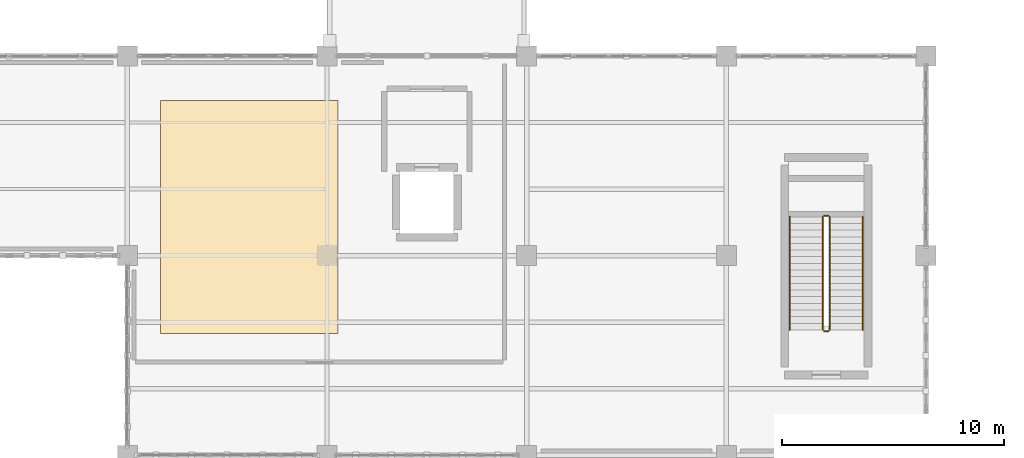
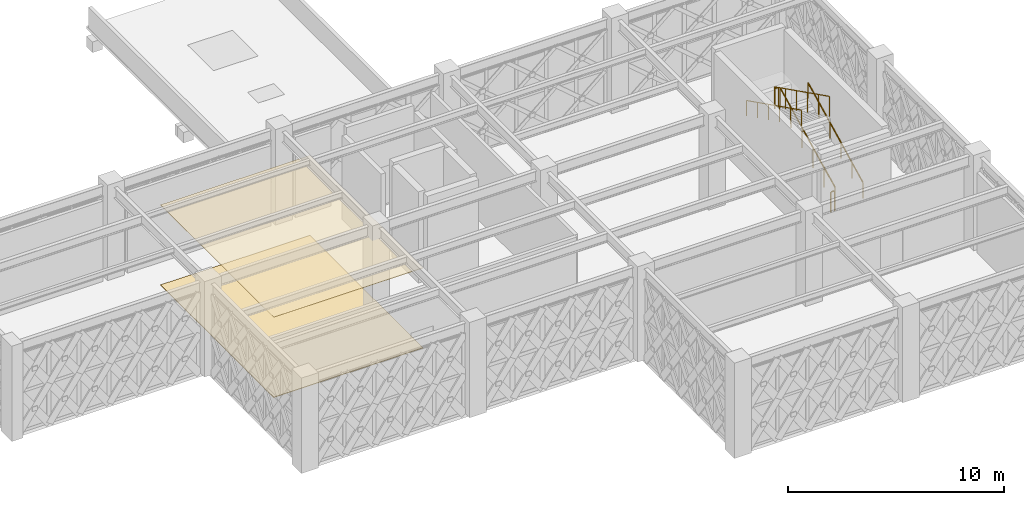
# One storey, part 145 of 155: 6 railings, 2 coverings.
"""IFC4 building model written with IfcOpenShell, lengths in metres."""

from ifc_helpers import new_model, si_unit, direction, frame, origin, origin_2d, place, context, subcontext, project, spatial, polyline, circle, outline, extrude, material, layer, layer_set, type_object, element, save


model = new_model("IFC4")

# Units and contexts
model_context = context("Model", 3, precision=1e-05, world=origin(), true_north=direction((0.0, 1.0)))
body_context = subcontext(model_context, "Body", "Model", "MODEL_VIEW")
ifc_project = project(units=[si_unit("LENGTHUNIT", "METRE"), si_unit("AREAUNIT", "SQUARE_METRE"), si_unit("VOLUMEUNIT", "CUBIC_METRE"), si_unit("PLANEANGLEUNIT", "RADIAN"), si_unit("MASSUNIT", "GRAM", prefix="KILO")], contexts=[model_context])

# Site, building, storey
site_placement = place(None, origin())
site = spatial("IfcSite", under=ifc_project, at=site_placement, CompositionType="ELEMENT")
building_placement = place(site_placement, origin())
building = spatial("IfcBuilding", under=site, at=building_placement, Name="Haizhuo Lancet Aquarium", CompositionType="ELEMENT")
storey_placement = place(building_placement, frame((0.0, 0.0, 10.800048828125)))
storey = spatial("IfcBuildingStorey", under=building, at=storey_placement, Name="L02", CompositionType="ELEMENT", Elevation=10.800048828125)

# Coverings
ifc_material_1 = material(Name="Acoustic Mineral Fibre Board")
ifc_layer_1 = layer(ifc_material_1, 0.02490234375)
ifc_layer_set_1 = layer_set([ifc_layer_1], Name="Acoustic Mineral Fibre Board")
covering_type_1 = type_object("IfcCoveringType", Name="COV-CLG-ACU", PredefinedType="CEILING", material=ifc_layer_set_1)
covering_1_placement = place(storey_placement, frame((0.0, 0.0, 4.534912109375)))
element("IfcCovering", 1, at=covering_1_placement, inside=storey, type_object=covering_type_1, Name="L02 V6 acoustic suspended ceiling 8", PredefinedType="CEILING", context=body_context, shape_type="SweptSolid", body=[
    extrude(outline(polyline([(-70.5, -21.5), (-62.5, -21.5), (-62.5, -11.0), (-70.5, -11.0), (-70.5, -21.5)])), origin(), (0.0, 0.0, 1.0), 0.025146484375),
])
ifc_material_2 = material(Name="Shandong Grey Limestone Ashlar", Category="masonry")
ifc_layer_2 = layer(ifc_material_2, 0.030029296875)
ifc_layer_set_2 = layer_set([ifc_layer_2], Name="Shandong Grey Limestone Ashlar")
covering_type_2 = type_object("IfcCoveringType", Name="COV-FLR-STN", PredefinedType="FLOORING", material=ifc_layer_set_2)
covering_2_placement = place(storey_placement, origin())
element("IfcCovering", 2, at=covering_2_placement, inside=storey, type_object=covering_type_2, Name="L02 V6 limestone floor finish 8", PredefinedType="FLOORING", context=body_context, shape_type="SweptSolid", body=[
    extrude(outline(polyline([(-70.5, -21.5), (-62.5, -21.5), (-62.5, -11.0), (-70.5, -11.0), (-70.5, -21.5)])), origin(), (0.0, 0.0, 1.0), 0.030029296875),
])

# Railings
ifc_material_3 = material(Name="Steel S355", Category="steel")
railing_type_1 = type_object("IfcRailingType", Name="RL-GRD-1150", PredefinedType="GUARDRAIL", material=ifc_material_3)
railing_1_placement = place(storey_placement, frame((-40.35009765625, -21.35009765625, 0.14990234375)))
element("IfcRailing", 3, at=railing_1_placement, inside=storey, type_object=railing_type_1, Name="L02 ST-09 stair guard 1", PredefinedType="GUARDRAIL", context=body_context, shape_type="SweptSolid", body=[
    extrude(circle(Radius=0.02392578125, at=origin_2d()), frame((0.0, 0.02685546875, 1.13916015625), z_axis=(0.0, 0.894427191, 0.4472135955), x_axis=(-1.0, 0.0, 0.0)), (0.0, 0.0, 1.0), 5.64208984375),
    extrude(circle(Radius=0.02099609375, at=origin_2d()), origin(), (0.0, 0.0, 1.0), 1.097900390625),
    extrude(circle(Radius=0.02099609375, at=origin_2d()), frame((0.0, 1.02001953125, 0.510009765625)), (0.0, 0.0, 1.0), 1.097900390625),
    extrude(circle(Radius=0.02099609375, at=origin_2d()), frame((0.0, 2.0400390625, 1.02001953125)), (0.0, 0.0, 1.0), 1.097900390625),
    extrude(circle(Radius=0.02099609375, at=origin_2d()), frame((0.0, 3.06005859375, 1.530029296875)), (0.0, 0.0, 1.0), 1.097900390625),
    extrude(circle(Radius=0.02099609375, at=origin_2d()), frame((0.0, 4.080078125, 2.0400390625)), (0.0, 0.0, 1.0), 1.097900390625),
    extrude(circle(Radius=0.02099609375, at=origin_2d()), frame((0.0, 5.10009765625, 2.550048828125)), (0.0, 0.0, 1.0), 1.097900390625),
])
railing_2_placement = place(storey_placement, frame((-40.39990234375, -16.199951171875, 2.699951171875)))
element("IfcRailing", 4, at=railing_2_placement, inside=storey, type_object=railing_type_1, Name="L02 ST-09 stair guard 2", PredefinedType="GUARDRAIL", context=body_context, shape_type="SweptSolid", body=[
    extrude(circle(Radius=0.02392578125, at=origin_2d()), frame((-0.030029296875, 0.0, 1.1259765625), z_axis=(-1.0, 0.0, 0.0), x_axis=(0.0, -1.0, 0.0)), (0.0, 0.0, 1.0), 0.14013671875),
    extrude(circle(Radius=0.02099609375, at=origin_2d()), origin(), (0.0, 0.0, 1.0), 1.097900390625),
    extrude(circle(Radius=0.02099609375, at=origin_2d()), frame((-0.2001953125, 0.0, 0.0)), (0.0, 0.0, 1.0), 1.097900390625),
])
railing_3_placement = place(storey_placement, frame((-40.64990234375, -16.25, 2.849853515625)))
element("IfcRailing", 5, at=railing_3_placement, inside=storey, type_object=railing_type_1, Name="L02 ST-09 stair guard 3", PredefinedType="GUARDRAIL", context=body_context, shape_type="SweptSolid", body=[
    extrude(circle(Radius=0.02392578125, at=origin_2d()), frame((0.0, -0.02685546875, 1.13916015625), z_axis=(0.0, -0.894427191, 0.4472135955), x_axis=(1.0, 0.0, 0.0)), (0.0, 0.0, 1.0), 5.64208984375),
    extrude(circle(Radius=0.02099609375, at=origin_2d()), origin(), (0.0, 0.0, 1.0), 1.097900390625),
    extrude(circle(Radius=0.02099609375, at=origin_2d()), frame((0.0, -1.02001953125, 0.510009765625)), (0.0, 0.0, 1.0), 1.097900390625),
    extrude(circle(Radius=0.02099609375, at=origin_2d()), frame((0.0, -2.0400390625, 1.02001953125)), (0.0, 0.0, 1.0), 1.097900390625),
    extrude(circle(Radius=0.02099609375, at=origin_2d()), frame((0.0, -3.06005859375, 1.530029296875)), (0.0, 0.0, 1.0), 1.097900390625),
    extrude(circle(Radius=0.02099609375, at=origin_2d()), frame((0.0, -4.080078125, 2.0400390625)), (0.0, 0.0, 1.0), 1.097900390625),
    extrude(circle(Radius=0.02099609375, at=origin_2d()), frame((0.0, -5.10009765625, 2.550048828125)), (0.0, 0.0, 1.0), 1.097900390625),
])
railing_4_placement = place(storey_placement, frame((-40.39990234375, -21.39990234375, 0.0)))
element("IfcRailing", 6, at=railing_4_placement, inside=storey, type_object=railing_type_1, Name="L02 ST-09 stair guard 4", PredefinedType="GUARDRAIL", context=body_context, shape_type="SweptSolid", body=[
    extrude(circle(Radius=0.02392578125, at=origin_2d()), frame((-0.030029296875, 0.0, 1.1259765625), z_axis=(-1.0, 0.0, 0.0), x_axis=(0.0, -1.0, 0.0)), (0.0, 0.0, 1.0), 0.14013671875),
    extrude(circle(Radius=0.02099609375, at=origin_2d()), origin(), (0.0, 0.0, 1.0), 1.097900390625),
    extrude(circle(Radius=0.02099609375, at=origin_2d()), frame((-0.2001953125, 0.0, 0.0)), (0.0, 0.0, 1.0), 1.097900390625),
])
railing_type_2 = type_object("IfcRailingType", Name="RL-HDR-900", PredefinedType="HANDRAIL", material=ifc_material_3)
railing_5_placement = place(storey_placement, frame((-38.85009765625, -21.35009765625, 0.14990234375)))
element("IfcRailing", 7, at=railing_5_placement, inside=storey, type_object=railing_type_2, Name="L02 ST-09 pitch handrail 1", PredefinedType="HANDRAIL", context=body_context, shape_type="SweptSolid", body=[
    extrude(circle(Radius=0.02392578125, at=origin_2d()), frame((0.0, 0.02685546875, 0.88916015625), z_axis=(0.0, 0.894427191, 0.4472135955), x_axis=(-1.0, 0.0, 0.0)), (0.0, 0.0, 1.0), 5.64208984375),
    extrude(circle(Radius=0.02099609375, at=origin_2d()), origin(), (0.0, 0.0, 1.0), 0.847900390625),
    extrude(circle(Radius=0.02099609375, at=origin_2d()), frame((0.0, 1.02001953125, 0.510009765625)), (0.0, 0.0, 1.0), 0.847900390625),
    extrude(circle(Radius=0.02099609375, at=origin_2d()), frame((0.0, 2.0400390625, 1.02001953125)), (0.0, 0.0, 1.0), 0.847900390625),
    extrude(circle(Radius=0.02099609375, at=origin_2d()), frame((0.0, 3.06005859375, 1.530029296875)), (0.0, 0.0, 1.0), 0.847900390625),
    extrude(circle(Radius=0.02099609375, at=origin_2d()), frame((0.0, 4.080078125, 2.0400390625)), (0.0, 0.0, 1.0), 0.847900390625),
    extrude(circle(Radius=0.02099609375, at=origin_2d()), frame((0.0, 5.10009765625, 2.550048828125)), (0.0, 0.0, 1.0), 0.847900390625),
])
railing_6_placement = place(storey_placement, frame((-42.14990234375, -16.25, 2.849853515625)))
element("IfcRailing", 8, at=railing_6_placement, inside=storey, type_object=railing_type_2, Name="L02 ST-09 pitch handrail 2", PredefinedType="HANDRAIL", context=body_context, shape_type="SweptSolid", body=[
    extrude(circle(Radius=0.02392578125, at=origin_2d()), frame((0.0, -0.02685546875, 0.88916015625), z_axis=(0.0, -0.894427191, 0.4472135955), x_axis=(1.0, 0.0, 0.0)), (0.0, 0.0, 1.0), 5.64208984375),
    extrude(circle(Radius=0.02099609375, at=origin_2d()), origin(), (0.0, 0.0, 1.0), 0.847900390625),
    extrude(circle(Radius=0.02099609375, at=origin_2d()), frame((0.0, -1.02001953125, 0.510009765625)), (0.0, 0.0, 1.0), 0.847900390625),
    extrude(circle(Radius=0.02099609375, at=origin_2d()), frame((0.0, -2.0400390625, 1.02001953125)), (0.0, 0.0, 1.0), 0.847900390625),
    extrude(circle(Radius=0.02099609375, at=origin_2d()), frame((0.0, -3.06005859375, 1.530029296875)), (0.0, 0.0, 1.0), 0.847900390625),
    extrude(circle(Radius=0.02099609375, at=origin_2d()), frame((0.0, -4.080078125, 2.0400390625)), (0.0, 0.0, 1.0), 0.847900390625),
    extrude(circle(Radius=0.02099609375, at=origin_2d()), frame((0.0, -5.10009765625, 2.550048828125)), (0.0, 0.0, 1.0), 0.847900390625),
])

save(model, "model.ifc")
